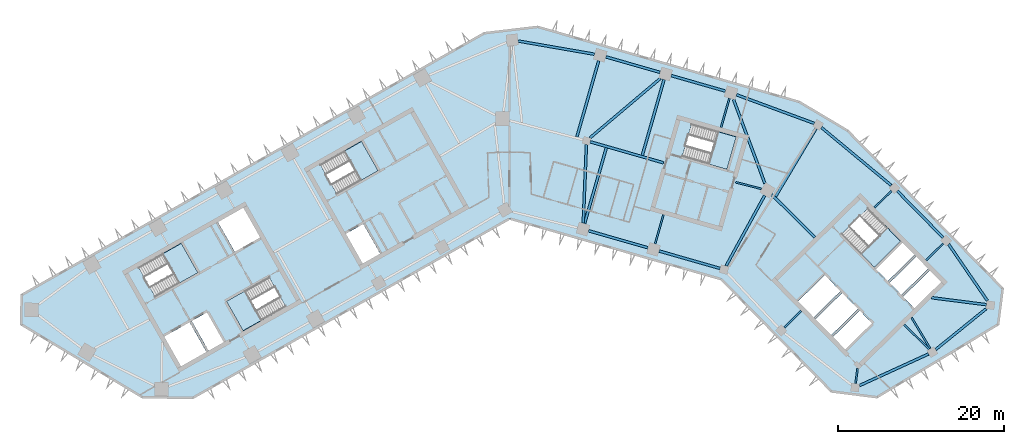
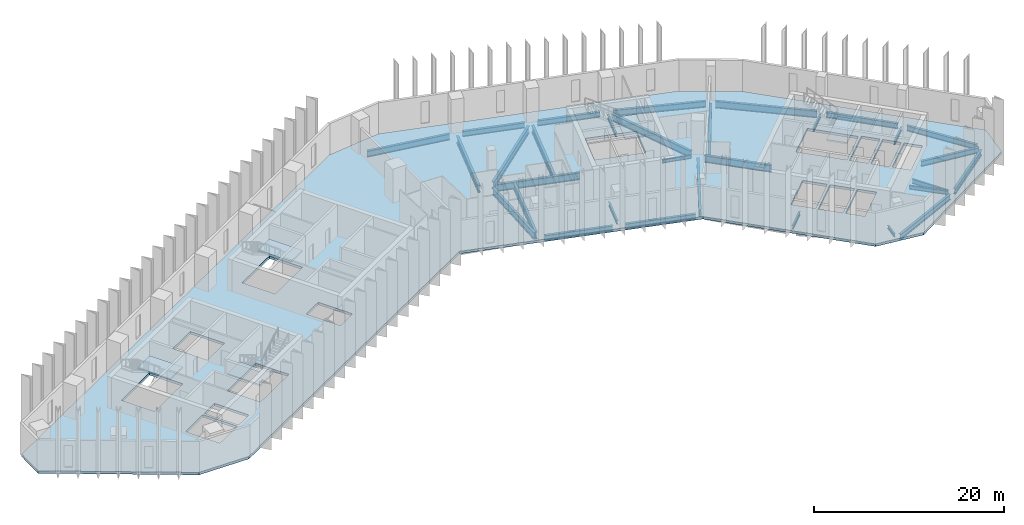
# One storey, part 2 of 11: 31 beams, 6 slabs, 5 elements without a shape of their own.
"""IFC4 building model written with IfcOpenShell, lengths in metres."""

from ifc_helpers import new_model, si_unit, direction, frame, origin, origin_2d, place, context, subcontext, project, spatial, polyline, i_section, outline, extrude, material, layer, layer_set, material_profile, profile_set, type_object, element, aggregate, save


model = new_model("IFC4")

# Units and contexts
model_context = context("Model", 3, precision=1e-05, world=origin(), true_north=direction((0.0, 1.0)))
body_context = subcontext(model_context, "Body", "Model", "MODEL_VIEW")
ifc_project = project(units=[si_unit("LENGTHUNIT", "METRE"), si_unit("AREAUNIT", "SQUARE_METRE"), si_unit("VOLUMEUNIT", "CUBIC_METRE"), si_unit("PLANEANGLEUNIT", "RADIAN"), si_unit("MASSUNIT", "GRAM", prefix="KILO")], contexts=[model_context])

# Site, building, storey
site_placement = place(None, origin())
site = spatial("IfcSite", under=ifc_project, at=site_placement, CompositionType="ELEMENT")
building_placement = place(site_placement, origin())
building = spatial("IfcBuilding", under=site, at=building_placement, Name="Binnacle Exchange Tower", CompositionType="ELEMENT")
storey_placement = place(building_placement, frame((0.0, 0.0, 132.300048828125)))
storey = spatial("IfcBuildingStorey", under=building, at=storey_placement, Name="L27", CompositionType="ELEMENT", Elevation=132.300048828125)

# Beams
ifc_material_1 = material(Name="Steel S355 (SHN355)", Category="steel")
ifc_material_profile_1 = material_profile(ifc_material_1, i_section(OverallWidth=0.300048828125, OverallDepth=0.699951171875, WebThickness=0.012939453125, FlangeThickness=0.02392578125, FilletRadius=0.028076171875, at=origin_2d()), Name="H 700x300x13x24")
ifc_profile_set_1 = profile_set([ifc_material_profile_1], Name="Steel S355 (SHN355)")
beam_type_1 = type_object("IfcBeamType", Name="Edge girder H 700x300x13x24 Steel S355 (SHN355)", PredefinedType="SPANDREL", material=ifc_profile_set_1)
beam_1_placement = place(storey_placement, frame((9.482421875, 46.529296875, -0.670166015625), z_axis=(0.961257800717, -0.275650939705, 0.0), x_axis=(0.275650939705, 0.961257800717, 0.0)))
element("IfcBeam", 1, at=beam_1_placement, inside=storey, type_object=beam_type_1, Name="S:BM:edge:L27:030", PredefinedType="SPANDREL", context=body_context, shape_type="SweptSolid", body=[
    extrude(i_section(OverallWidth=0.300048828125, OverallDepth=0.699951171875, WebThickness=0.012939453125, FlangeThickness=0.02392578125, FilletRadius=0.028076171875, at=origin_2d()), origin(), (0.0, 0.0, 1.0), 7.42041015625),
])
beam_2_placement = place(storey_placement, frame((17.961181640625, 44.09814453125, -0.670166015625), z_axis=(0.961257524102, -0.275651904325, 0.0), x_axis=(0.275651904325, 0.961257524102, 0.0)))
element("IfcBeam", 2, at=beam_2_placement, inside=storey, type_object=beam_type_1, Name="S:BM:edge:L27:032", PredefinedType="SPANDREL", context=body_context, shape_type="SweptSolid", body=[
    extrude(i_section(OverallWidth=0.300048828125, OverallDepth=0.699951171875, WebThickness=0.012939453125, FlangeThickness=0.02392578125, FilletRadius=0.028076171875, at=origin_2d()), origin(), (0.0, 0.0, 1.0), 7.620361328125),
])
for number, where, z_axis, x_axis, name in (
    (3, (18.073486328125, 65.569091796875, -0.670166015625), (-0.961258249907, 0.275649373272, 0.0), (-0.275649373272, -0.961258249907, 0.0), "S:BM:edge:L27:033"),
    (4, (25.9296875, 63.31640625, -0.670166015625), (-0.961258249907, 0.275649373272, 0.0), (-0.275649373272, -0.961258249907, 0.0), "S:BM:edge:L27:034"),
):
    element("IfcBeam", number, at=place(storey_placement, frame(where, z_axis=z_axis, x_axis=x_axis)), inside=storey, type_object=beam_type_1, Name=name, PredefinedType="SPANDREL", context=body_context, shape_type="SweptSolid", body=[
        extrude(i_section(OverallWidth=0.300048828125, OverallDepth=0.699951171875, WebThickness=0.012939453125, FlangeThickness=0.02392578125, FilletRadius=0.028076171875, at=origin_2d()), origin(), (0.0, 0.0, 1.0), 6.77294921875),
    ])
beam_3_placement = place(storey_placement, frame((51.20458984375, 32.248291015625, -0.670166015625), z_axis=(0.777570349394, 0.628795953981, 0.0), x_axis=(-0.628795953981, 0.777570349394, 0.0)))
element("IfcBeam", 5, at=beam_3_placement, inside=storey, type_object=beam_type_1, Name="S:BM:edge:L27:040", PredefinedType="SPANDREL", context=body_context, shape_type="SweptSolid", body=[
    extrude(i_section(OverallWidth=0.300048828125, OverallDepth=0.699951171875, WebThickness=0.012939453125, FlangeThickness=0.02392578125, FilletRadius=0.028076171875, at=origin_2d()), origin(), (0.0, 0.0, 1.0), 7.788330078125),
])
beam_4_placement = place(storey_placement, frame((52.1162109375, 45.69580078125, -0.670166015625), z_axis=(-0.700892629455, 0.713266795789, 0.0), x_axis=(-0.713266795789, -0.700892629455, 0.0)))
element("IfcBeam", 6, at=beam_4_placement, inside=storey, type_object=beam_type_1, Name="S:BM:edge:L27:041", PredefinedType="SPANDREL", context=body_context, shape_type="SweptSolid", body=[
    extrude(i_section(OverallWidth=0.300048828125, OverallDepth=0.699951171875, WebThickness=0.012939453125, FlangeThickness=0.02392578125, FilletRadius=0.028076171875, at=origin_2d()), origin(), (0.0, 0.0, 1.0), 7.872314453125),
])
beam_5_placement = place(storey_placement, frame((57.41943359375, 38.13330078125, -0.670166015625), z_axis=(-0.566410561214, 0.824123216604, 0.0), x_axis=(-0.824123216604, -0.566410561214, 0.0)))
element("IfcBeam", 7, at=beam_5_placement, inside=storey, type_object=beam_type_1, Name="S:BM:edge:L27:042", PredefinedType="SPANDREL", context=body_context, shape_type="SweptSolid", body=[
    extrude(i_section(OverallWidth=0.300048828125, OverallDepth=0.699951171875, WebThickness=0.012939453125, FlangeThickness=0.02392578125, FilletRadius=0.028076171875, at=origin_2d()), origin(), (0.0, 0.0, 1.0), 8.236083984375),
])
ifc_material_profile_2 = material_profile(ifc_material_1, i_section(OverallWidth=0.302001953125, OverallDepth=0.7080078125, WebThickness=0.014892578125, FlangeThickness=0.028076171875, FilletRadius=0.028076171875, at=origin_2d()), Name="H 708x302x15x28")
ifc_profile_set_2 = profile_set([ifc_material_profile_2], Name="Steel S355 (SHN355)")
beam_type_2 = type_object("IfcBeamType", Name="Edge girder H 708x302x15x28 Steel S355 (SHN355)", PredefinedType="SPANDREL", material=ifc_profile_set_2)
beam_6_placement = place(storey_placement, frame((42.054931640625, 27.919921875, -0.674072265625), z_axis=(0.909166515566, 0.41643276405, 0.0), x_axis=(-0.41643276405, 0.909166515566, 0.0)))
element("IfcBeam", 8, at=beam_6_placement, inside=storey, type_object=beam_type_2, Name="S:BM:edge:L27:038", PredefinedType="SPANDREL", context=body_context, shape_type="SweptSolid", body=[
    extrude(i_section(OverallWidth=0.302001953125, OverallDepth=0.7080078125, WebThickness=0.014892578125, FlangeThickness=0.028076171875, FilletRadius=0.028076171875, at=origin_2d()), origin(), (0.0, 0.0, 1.0), 9.128662109375),
])
ifc_material_profile_3 = material_profile(ifc_material_1, i_section(OverallWidth=0.300048828125, OverallDepth=0.800048828125, WebThickness=0.013916015625, FlangeThickness=0.02587890625, FilletRadius=0.028076171875, at=origin_2d()), Name="H 800x300x14x26")
ifc_profile_set_3 = profile_set([ifc_material_profile_3], Name="Steel S355 (SHN355)")
beam_type_3 = type_object("IfcBeamType", Name="Edge girder H 800x300x14x26 Steel S355 (SHN355)", PredefinedType="SPANDREL", material=ifc_profile_set_3)
beam_7_placement = place(storey_placement, frame((10.1962890625, 67.749267578125, -0.719970703125), z_axis=(-0.985312784176, 0.170759237931, 0.0), x_axis=(-0.170759237931, -0.985312784176, 0.0)))
element("IfcBeam", 9, at=beam_7_placement, inside=storey, type_object=beam_type_3, Name="S:BM:edge:L27:031", PredefinedType="SPANDREL", context=body_context, shape_type="SweptSolid", body=[
    extrude(i_section(OverallWidth=0.300048828125, OverallDepth=0.800048828125, WebThickness=0.013916015625, FlangeThickness=0.02587890625, FilletRadius=0.028076171875, at=origin_2d()), origin(), (0.0, 0.0, 1.0), 9.313232421875),
])
ifc_material_profile_4 = material_profile(ifc_material_1, i_section(OverallWidth=0.302001953125, OverallDepth=0.80810546875, WebThickness=0.01611328125, FlangeThickness=0.030029296875, FilletRadius=0.028076171875, at=origin_2d()), Name="H 808x302x16x30")
ifc_profile_set_4 = profile_set([ifc_material_profile_4], Name="Steel S355 (SHN355)")
beam_type_4 = type_object("IfcBeamType", Name="Edge girder H 808x302x16x30 Steel S355 (SHN355)", PredefinedType="SPANDREL", material=ifc_profile_set_4)
beam_8_placement = place(storey_placement, frame((36.60791015625, 59.438232421875, -0.72412109375), z_axis=(-0.938371988478, 0.3456269828, 0.0), x_axis=(-0.3456269828, -0.938371988478, 0.0)))
element("IfcBeam", 10, at=beam_8_placement, inside=storey, type_object=beam_type_4, Name="S:BM:edge:L27:037", PredefinedType="SPANDREL", context=body_context, shape_type="SweptSolid", body=[
    extrude(i_section(OverallWidth=0.302001953125, OverallDepth=0.80810546875, WebThickness=0.01611328125, FlangeThickness=0.030029296875, FilletRadius=0.028076171875, at=origin_2d()), origin(), (0.0, 0.0, 1.0), 9.96044921875),
])
ifc_material_profile_5 = material_profile(ifc_material_1, i_section(OverallWidth=0.300048828125, OverallDepth=0.89990234375, WebThickness=0.01611328125, FlangeThickness=0.028076171875, FilletRadius=0.028076171875, at=origin_2d()), Name="H 900x300x16x28")
ifc_profile_set_5 = profile_set([ifc_material_profile_5], Name="Steel S355 (SHN355)")
beam_type_5 = type_object("IfcBeamType", Name="Edge girder H 900x300x16x28 Steel S355 (SHN355)", PredefinedType="SPANDREL", material=ifc_profile_set_5)
beam_9_placement = place(storey_placement, frame((45.861083984375, 51.988037109375, -0.77001953125), z_axis=(-0.769903256509, 0.63816061898, 0.0), x_axis=(-0.63816061898, -0.769903256509, 0.0)))
element("IfcBeam", 11, at=beam_9_placement, inside=storey, type_object=beam_type_5, Name="S:BM:edge:L27:039", PredefinedType="SPANDREL", context=body_context, shape_type="SweptSolid", body=[
    extrude(i_section(OverallWidth=0.300048828125, OverallDepth=0.89990234375, WebThickness=0.01611328125, FlangeThickness=0.028076171875, FilletRadius=0.028076171875, at=origin_2d()), origin(), (0.0, 0.0, 1.0), 10.892822265625),
])
ifc_material_profile_6 = material_profile(ifc_material_1, i_section(OverallWidth=0.199951171875, OverallDepth=0.39990234375, WebThickness=0.008056640625, FlangeThickness=0.012939453125, FilletRadius=0.01611328125, at=origin_2d()), Name="H 400x200x8x13")
ifc_profile_set_6 = profile_set([ifc_material_profile_6], Name="Steel S355 (SHN355)")
beam_type_6 = type_object("IfcBeamType", Name="Floor beam H 400x200x8x13 Steel S355 (SHN355)", PredefinedType="BEAM", material=ifc_profile_set_6)
beam_10_placement = place(storey_placement, frame((41.582763671875, 28.1708984375, -0.52001953125), z_axis=(0.12626620762, 0.991996393549, 0.0), x_axis=(-0.991996393549, 0.12626620762, 0.0)))
element("IfcBeam", 12, at=beam_10_placement, inside=storey, type_object=beam_type_6, Name="S:BM:cross:L27:063", PredefinedType="BEAM", context=body_context, shape_type="SweptSolid", body=[
    extrude(i_section(OverallWidth=0.199951171875, OverallDepth=0.39990234375, WebThickness=0.008056640625, FlangeThickness=0.012939453125, FilletRadius=0.01611328125, at=origin_2d()), origin(), (0.0, 0.0, 1.0), 1.8310546875),
])
ifc_material_profile_7 = material_profile(ifc_material_1, i_section(OverallWidth=0.199951171875, OverallDepth=0.449951171875, WebThickness=0.009033203125, FlangeThickness=0.013916015625, FilletRadius=0.01806640625, at=origin_2d()), Name="H 450x200x9x14")
ifc_profile_set_7 = profile_set([ifc_material_profile_7], Name="Steel S355 (SHN355)")
beam_type_7 = type_object("IfcBeamType", Name="Floor beam H 450x200x9x14 Steel S355 (SHN355)", PredefinedType="BEAM", material=ifc_profile_set_7)
for number, where, z_axis, x_axis, name in (
    (13, (32.997802734375, 34.880615234375, -0.545166015625), (0.713272005304, 0.700887327928, 0.0), (-0.700887327928, 0.713272005304, 0.0), "S:BM:cross:L27:061"),
    (14, (45.8916015625, 51.31689453125, -0.545166015625), (-0.713272005304, -0.700887327928, 0.0), (0.700887327928, -0.713272005304, 0.0), "S:BM:cross:L27:064"),
    (15, (52.110107421875, 44.98876953125, -0.545166015625), (-0.713272005304, -0.700887327928, 0.0), (0.700887327928, -0.713272005304, 0.0), "S:BM:cross:L27:066"),
):
    element("IfcBeam", number, at=place(storey_placement, frame(where, z_axis=z_axis, x_axis=x_axis)), inside=storey, type_object=beam_type_7, Name=name, PredefinedType="BEAM", context=body_context, shape_type="SweptSolid", body=[
        extrude(i_section(OverallWidth=0.199951171875, OverallDepth=0.449951171875, WebThickness=0.009033203125, FlangeThickness=0.013916015625, FilletRadius=0.01806640625, at=origin_2d()), origin(), (0.0, 0.0, 1.0), 2.8583984375),
    ])
ifc_material_profile_8 = material_profile(ifc_material_1, i_section(OverallWidth=0.200927734375, OverallDepth=0.506103515625, WebThickness=0.010986328125, FlangeThickness=0.01904296875, FilletRadius=0.02001953125, at=origin_2d()), Name="H 506x201x11x19")
ifc_profile_set_8 = profile_set([ifc_material_profile_8], Name="Steel S355 (SHN355)")
beam_type_8 = type_object("IfcBeamType", Name="Floor beam H 506x201x11x19 Steel S355 (SHN355)", PredefinedType="BEAM", material=ifc_profile_set_8)
beam_11_placement = place(storey_placement, frame((17.481201171875, 44.964111328125, -0.572998046875), z_axis=(0.275643564404, 0.961259915633, 0.0), x_axis=(-0.961259915633, 0.275643564404, 0.0)))
element("IfcBeam", 16, at=beam_11_placement, inside=storey, type_object=beam_type_8, Name="S:BM:cross:L27:058", PredefinedType="BEAM", context=body_context, shape_type="SweptSolid", body=[
    extrude(i_section(OverallWidth=0.200927734375, OverallDepth=0.506103515625, WebThickness=0.010986328125, FlangeThickness=0.01904296875, FilletRadius=0.02001953125, at=origin_2d()), origin(), (0.0, 0.0, 1.0), 3.635009765625),
])
beam_12_placement = place(storey_placement, frame((26.409912109375, 62.45068359375, -0.572998046875), z_axis=(-0.275687825643, -0.961247222515, 0.0), x_axis=(0.961247222515, -0.275687825643, 0.0)))
element("IfcBeam", 17, at=beam_12_placement, inside=storey, type_object=beam_type_8, Name="S:BM:cross:L27:060", PredefinedType="BEAM", context=body_context, shape_type="SweptSolid", body=[
    extrude(i_section(OverallWidth=0.200927734375, OverallDepth=0.506103515625, WebThickness=0.010986328125, FlangeThickness=0.01904296875, FilletRadius=0.02001953125, at=origin_2d()), origin(), (0.0, 0.0, 1.0), 3.63525390625),
])
ifc_material_profile_9 = material_profile(ifc_material_1, i_section(OverallWidth=0.199951171875, OverallDepth=0.60009765625, WebThickness=0.010986328125, FlangeThickness=0.01708984375, FilletRadius=0.02197265625, at=origin_2d()), Name="H 600x200x11x17")
ifc_profile_set_9 = profile_set([ifc_material_profile_9], Name="Steel S355 (SHN355)")
beam_type_9 = type_object("IfcBeamType", Name="Floor beam H 600x200x11x17 Steel S355 (SHN355)", PredefinedType="BEAM", material=ifc_profile_set_9)
beam_13_placement = place(storey_placement, frame((50.554443359375, 32.359619140625, -0.6201171875), z_axis=(-0.515054637465, 0.857157348697, 0.0), x_axis=(-0.857157348697, -0.515054637465, 0.0)))
element("IfcBeam", 18, at=beam_13_placement, inside=storey, type_object=beam_type_9, Name="S:BM:cross:L27:065", PredefinedType="BEAM", context=body_context, shape_type="SweptSolid", body=[
    extrude(i_section(OverallWidth=0.199951171875, OverallDepth=0.60009765625, WebThickness=0.010986328125, FlangeThickness=0.01708984375, FilletRadius=0.02197265625, at=origin_2d()), origin(), (0.0, 0.0, 1.0), 4.367431640625),
])
ifc_material_profile_10 = material_profile(ifc_material_1, i_section(OverallWidth=0.300048828125, OverallDepth=0.699951171875, WebThickness=0.012939453125, FlangeThickness=0.02392578125, FilletRadius=0.028076171875, at=origin_2d()), Name="H 700x300x13x24")
ifc_profile_set_10 = profile_set([ifc_material_profile_10], Name="Steel S355 (SHN355)")
beam_type_10 = type_object("IfcBeamType", Name="Floor beam H 700x300x13x24 Steel S355 (SHN355)", PredefinedType="BEAM", material=ifc_profile_set_10)
beam_14_placement = place(storey_placement, frame((57.302978515625, 37.64404296875, -0.670166015625), z_axis=(-0.992004198178, 0.12620487628, 0.0), x_axis=(-0.12620487628, -0.992004198178, 0.0)))
element("IfcBeam", 19, at=beam_14_placement, inside=storey, type_object=beam_type_10, Name="S:BM:cross:L27:067", PredefinedType="BEAM", context=body_context, shape_type="SweptSolid", body=[
    extrude(i_section(OverallWidth=0.300048828125, OverallDepth=0.699951171875, WebThickness=0.012939453125, FlangeThickness=0.02392578125, FilletRadius=0.028076171875, at=origin_2d()), origin(), (0.0, 0.0, 1.0), 6.63134765625),
])
ifc_material_profile_11 = material_profile(ifc_material_1, i_section(OverallWidth=0.302978515625, OverallDepth=0.91796875, WebThickness=0.01904296875, FlangeThickness=0.037109375, FilletRadius=0.028076171875, at=origin_2d()), Name="H 918x303x19x37")
ifc_profile_set_11 = profile_set([ifc_material_profile_11], Name="Steel S355 (SHN355)")
beam_type_11 = type_object("IfcBeamType", Name="Floor beam H 918x303x19x37 Steel S355 (SHN355)", PredefinedType="BEAM", material=ifc_profile_set_11)
beam_15_placement = place(storey_placement, frame((9.00244140625, 47.395263671875, -0.779052734375), z_axis=(0.275642274849, 0.961260285415, 0.0), x_axis=(-0.961260285415, 0.275642274849, 0.0)))
element("IfcBeam", 20, at=beam_15_placement, inside=storey, type_object=beam_type_11, Name="S:BM:cross:L27:056", PredefinedType="BEAM", context=body_context, shape_type="SweptSolid", body=[
    extrude(i_section(OverallWidth=0.302978515625, OverallDepth=0.91796875, WebThickness=0.01904296875, FlangeThickness=0.037109375, FilletRadius=0.028076171875, at=origin_2d()), origin(), (0.0, 0.0, 1.0), 9.485107421875),
])
beam_16_placement = place(storey_placement, frame((10.697021484375, 66.9560546875, -0.779052734375), z_axis=(-0.27562260808, -0.961265924661, 0.0), x_axis=(0.961265924661, -0.27562260808, 0.0)))
element("IfcBeam", 21, at=beam_16_placement, inside=storey, type_object=beam_type_11, Name="S:BM:cross:L27:057", PredefinedType="BEAM", context=body_context, shape_type="SweptSolid", body=[
    extrude(i_section(OverallWidth=0.302978515625, OverallDepth=0.91796875, WebThickness=0.01904296875, FlangeThickness=0.037109375, FilletRadius=0.028076171875, at=origin_2d()), origin(), (0.0, 0.0, 1.0), 9.51318359375),
])
beam_17_placement = place(storey_placement, frame((18.553466796875, 64.703369140625, -0.779052734375), z_axis=(-0.275642274849, -0.961260285415, 0.0), x_axis=(0.961260285415, -0.275642274849, 0.0)))
element("IfcBeam", 22, at=beam_17_placement, inside=storey, type_object=beam_type_11, Name="S:BM:cross:L27:059", PredefinedType="BEAM", context=body_context, shape_type="SweptSolid", body=[
    extrude(i_section(OverallWidth=0.302978515625, OverallDepth=0.91796875, WebThickness=0.01904296875, FlangeThickness=0.037109375, FilletRadius=0.028076171875, at=origin_2d()), origin(), (0.0, 0.0, 1.0), 9.485107421875),
])
beam_18_placement = place(storey_placement, frame((36.829345703125, 58.832763671875, -0.779052734375), z_axis=(-0.51129570724, -0.859404852068, 0.0), x_axis=(0.859404852068, -0.51129570724, 0.0)))
element("IfcBeam", 23, at=beam_18_placement, inside=storey, type_object=beam_type_11, Name="S:BM:cross:L27:062", PredefinedType="BEAM", context=body_context, shape_type="SweptSolid", body=[
    extrude(i_section(OverallWidth=0.302978515625, OverallDepth=0.91796875, WebThickness=0.01904296875, FlangeThickness=0.037109375, FilletRadius=0.028076171875, at=origin_2d()), origin(), (0.0, 0.0, 1.0), 9.5361328125),
])
ifc_material_profile_12 = material_profile(ifc_material_1, i_section(OverallWidth=0.199951171875, OverallDepth=0.449951171875, WebThickness=0.009033203125, FlangeThickness=0.013916015625, FilletRadius=0.01806640625, at=origin_2d()), Name="H 450x200x9x14")
ifc_profile_set_12 = profile_set([ifc_material_profile_12], Name="Steel S355 (SHN355)")
beam_type_12 = type_object("IfcBeamType", Name="Spine girder H 450x200x9x14 Steel S355 (SHN355)", PredefinedType="BEAM", material=ifc_profile_set_12)
beam_19_placement = place(storey_placement, frame((27.17138671875, 52.35400390625, -0.545166015625), z_axis=(0.969348404361, -0.245690193055, 0.0), x_axis=(0.245690193055, 0.969348404361, 0.0)))
element("IfcBeam", 24, at=beam_19_placement, inside=storey, type_object=beam_type_12, Name="S:BM:spine:L27:010", PredefinedType="BEAM", context=body_context, shape_type="SweptSolid", body=[
    extrude(i_section(OverallWidth=0.199951171875, OverallDepth=0.449951171875, WebThickness=0.009033203125, FlangeThickness=0.013916015625, FilletRadius=0.01806640625, at=origin_2d()), origin(), (0.0, 0.0, 1.0), 3.20361328125),
])
ifc_material_profile_13 = material_profile(ifc_material_1, i_section(OverallWidth=0.200927734375, OverallDepth=0.506103515625, WebThickness=0.010986328125, FlangeThickness=0.01904296875, FilletRadius=0.02001953125, at=origin_2d()), Name="H 506x201x11x19")
ifc_profile_set_13 = profile_set([ifc_material_profile_13], Name="Steel S355 (SHN355)")
beam_type_13 = type_object("IfcBeamType", Name="Spine girder H 506x201x11x19 Steel S355 (SHN355)", PredefinedType="BEAM", material=ifc_profile_set_13)
beam_20_placement = place(storey_placement, frame((47.417236328125, 35.23095703125, -0.572998046875), z_axis=(0.71705117811, -0.697020521915, 0.0), x_axis=(0.697020521915, 0.71705117811, 0.0)))
element("IfcBeam", 25, at=beam_20_placement, inside=storey, type_object=beam_type_13, Name="S:BM:spine:L27:014", PredefinedType="BEAM", context=body_context, shape_type="SweptSolid", body=[
    extrude(i_section(OverallWidth=0.200927734375, OverallDepth=0.506103515625, WebThickness=0.010986328125, FlangeThickness=0.01904296875, FilletRadius=0.02001953125, at=origin_2d()), origin(), (0.0, 0.0, 1.0), 4.21728515625),
])
ifc_material_profile_14 = material_profile(ifc_material_1, i_section(OverallWidth=0.300048828125, OverallDepth=0.89990234375, WebThickness=0.01611328125, FlangeThickness=0.028076171875, FilletRadius=0.028076171875, at=origin_2d()), Name="H 900x300x16x28")
ifc_profile_set_14 = profile_set([ifc_material_profile_14], Name="Steel S355 (SHN355)")
beam_type_14 = type_object("IfcBeamType", Name="Spine girder H 900x300x16x28 Steel S355 (SHN355)", PredefinedType="BEAM", material=ifc_profile_set_14)
beam_21_placement = place(storey_placement, frame((9.22216796875, 56.887451171875, -0.77001953125), z_axis=(-0.040573469093, -0.999176557774, 0.0), x_axis=(0.999176557774, -0.040573469093, 0.0)))
element("IfcBeam", 26, at=beam_21_placement, inside=storey, type_object=beam_type_14, Name="S:BM:spine:L27:007", PredefinedType="BEAM", context=body_context, shape_type="SweptSolid", body=[
    extrude(i_section(OverallWidth=0.300048828125, OverallDepth=0.89990234375, WebThickness=0.01611328125, FlangeThickness=0.028076171875, FilletRadius=0.028076171875, at=origin_2d()), origin(), (0.0, 0.0, 1.0), 9.453125),
])
beam_22_placement = place(storey_placement, frame((30.65234375, 50.771484375, -0.77001953125), z_axis=(-0.480722811784, -0.876872612316, 0.0), x_axis=(0.876872612316, -0.480722811784, 0.0)))
element("IfcBeam", 27, at=beam_22_placement, inside=storey, type_object=beam_type_14, Name="S:BM:spine:L27:011", PredefinedType="BEAM", context=body_context, shape_type="SweptSolid", body=[
    extrude(i_section(OverallWidth=0.300048828125, OverallDepth=0.89990234375, WebThickness=0.01611328125, FlangeThickness=0.028076171875, FilletRadius=0.028076171875, at=origin_2d()), origin(), (0.0, 0.0, 1.0), 9.650390625),
])
ifc_material_profile_15 = material_profile(ifc_material_1, i_section(OverallWidth=0.302978515625, OverallDepth=0.91796875, WebThickness=0.01904296875, FlangeThickness=0.037109375, FilletRadius=0.028076171875, at=origin_2d()), Name="H 918x303x19x37")
ifc_profile_set_15 = profile_set([ifc_material_profile_15], Name="Steel S355 (SHN355)")
beam_type_15 = type_object("IfcBeamType", Name="Spine girder H 918x303x19x37 Steel S355 (SHN355)", PredefinedType="BEAM", material=ifc_profile_set_15)
beam_23_placement = place(storey_placement, frame((9.65478515625, 57.69970703125, -0.779052734375), z_axis=(0.764067648684, 0.645136131552, 0.0), x_axis=(-0.645136131552, 0.764067648684, 0.0)))
element("IfcBeam", 28, at=beam_23_placement, inside=storey, type_object=beam_type_15, Name="S:BM:spine:L27:008", PredefinedType="BEAM", context=body_context, shape_type="SweptSolid", body=[
    extrude(i_section(OverallWidth=0.302978515625, OverallDepth=0.91796875, WebThickness=0.01904296875, FlangeThickness=0.037109375, FilletRadius=0.028076171875, at=origin_2d()), origin(), (0.0, 0.0, 1.0), 11.056396484375),
])
beam_24_placement = place(storey_placement, frame((9.673583984375, 57.226318359375, -0.779052734375), z_axis=(0.961256048299, -0.275657050715, 0.0), x_axis=(0.275657050715, 0.961256048299, 0.0)))
element("IfcBeam", 29, at=beam_24_placement, inside=storey, type_object=beam_type_15, Name="S:BM:spine:L27:009", PredefinedType="BEAM", context=body_context, shape_type="SweptSolid", body=[
    extrude(i_section(OverallWidth=0.302978515625, OverallDepth=0.91796875, WebThickness=0.01904296875, FlangeThickness=0.037109375, FilletRadius=0.028076171875, at=origin_2d()), origin(), (0.0, 0.0, 1.0), 9.1630859375),
])
beam_25_placement = place(storey_placement, frame((30.6806640625, 52.212890625, -0.779052734375), z_axis=(-0.350112820386, 0.93670753867, 0.0), x_axis=(-0.93670753867, -0.350112820386, 0.0)))
element("IfcBeam", 30, at=beam_25_placement, inside=storey, type_object=beam_type_15, Name="S:BM:spine:L27:012", PredefinedType="BEAM", context=body_context, shape_type="SweptSolid", body=[
    extrude(i_section(OverallWidth=0.302978515625, OverallDepth=0.91796875, WebThickness=0.01904296875, FlangeThickness=0.037109375, FilletRadius=0.028076171875, at=origin_2d()), origin(), (0.0, 0.0, 1.0), 10.777099609375),
])
beam_26_placement = place(storey_placement, frame((31.499755859375, 50.8818359375, -0.779052734375), z_axis=(0.710998016372, -0.703194013566, 0.0), x_axis=(0.703194013566, 0.710998016372, 0.0)))
element("IfcBeam", 31, at=beam_26_placement, inside=storey, type_object=beam_type_15, Name="S:BM:spine:L27:013", PredefinedType="BEAM", context=body_context, shape_type="SweptSolid", body=[
    extrude(i_section(OverallWidth=0.302978515625, OverallDepth=0.91796875, WebThickness=0.01904296875, FlangeThickness=0.037109375, FilletRadius=0.028076171875, at=origin_2d()), origin(), (0.0, 0.0, 1.0), 7.320556640625),
])

# Slab
ifc_material_2 = material(Name="Concrete C35/45", Category="concrete")
ifc_layer_1 = layer(ifc_material_2, 0.320068359375)
ifc_layer_set_1 = layer_set([ifc_layer_1], Name="Floor slab 320 Concrete C35/45")
slab_type_1 = type_object("IfcSlabType", Name="Floor slab 320 Concrete C35/45", PredefinedType="FLOOR", material=ifc_layer_set_1)
slab_1_placement = place(storey_placement, frame((0.0, 0.0, -0.320068359375)))
element("IfcSlab", 32, at=slab_1_placement, inside=storey, type_object=slab_type_1, Name="S:SL:L27:01", PredefinedType="FLOOR", context=body_context, shape_type="SweptSolid", body=[
    extrude(outline(polyline([(59.262939453125, 39.5791015625), (58.716064453125, 35.280029296875), (44.14404296875, 26.5244140625), (38.69091796875, 27.21826171875), (25.43603515625, 40.706298828125), (0.0, 48.0), (-38.097900390625, 26.4453125), (-44.14404296875, 26.5244140625), (-58.716064453125, 35.280029296875), (-58.669921875, 38.80615234375), (-3.046142578125, 70.276611328125), (3.364501953125, 71.035400390625), (34.789794921875, 62.024169921875), (40.607421875, 58.56298828125), (59.262939453125, 39.5791015625)]), holes=[polyline([(-38.4794921875, 35.529296875), (-41.61279296875, 33.756591796875), (-39.544677734375, 30.10107421875), (-36.411376953125, 31.873779296875), (-38.4794921875, 35.529296875)]), polyline([(-34.322509765625, 33.0556640625), (-36.390625, 36.711181640625), (-38.21826171875, 35.677001953125), (-36.150146484375, 32.021484375), (-34.322509765625, 33.0556640625)]), polyline([(-34.040771484375, 38.04052734375), (-32.04638671875, 34.515625), (-26.9287109375, 37.4111328125), (-28.923095703125, 40.93603515625), (-34.040771484375, 38.04052734375)]), polyline([(-37.486572265625, 41.4912109375), (-39.480712890625, 45.01611328125), (-44.598388671875, 42.12060546875), (-42.604248046875, 38.595703125), (-37.486572265625, 41.4912109375)]), polyline([(-15.53076171875, 43.6875), (-17.598876953125, 47.343017578125), (-19.77490234375, 46.11181640625), (-17.70654296875, 42.456298828125), (-15.53076171875, 43.6875)]), polyline([(-29.914306640625, 45.775390625), (-31.982666015625, 49.430908203125), (-35.115966796875, 47.657958984375), (-33.047607421875, 44.00244140625), (-29.914306640625, 45.775390625)]), polyline([(-15.822509765625, 53.748046875), (-17.81689453125, 57.27294921875), (-22.760498046875, 54.47607421875), (-20.76611328125, 50.950927734375), (-15.822509765625, 53.748046875)]), polyline([(26.111328125, 53.9169921875), (27.227783203125, 57.810302734375), (21.864013671875, 59.348388671875), (20.74755859375, 55.455078125), (26.111328125, 53.9169921875)]), polyline([(40.268798828125, 32.201904296875), (43.549560546875, 35.426025390625), (42.07763671875, 36.923828125), (38.796875, 33.69970703125), (40.268798828125, 32.201904296875)]), polyline([(38.58642578125, 33.913818359375), (41.867431640625, 37.137939453125), (39.97509765625, 39.063720703125), (36.694091796875, 35.83935546875), (38.58642578125, 33.913818359375)]), polyline([(36.48388671875, 36.053466796875), (39.7646484375, 39.277587890625), (37.872314453125, 41.203369140625), (34.59130859375, 37.979248046875), (36.48388671875, 36.053466796875)]), polyline([(48.726806640625, 37.148681640625), (52.0078125, 40.372802734375), (50.577880859375, 41.827880859375), (47.296875, 38.603759765625), (48.726806640625, 37.148681640625)]), polyline([(47.086669921875, 38.817626953125), (50.36767578125, 42.0419921875), (48.944580078125, 43.48974609375), (45.663818359375, 40.265625), (47.086669921875, 38.817626953125)]), polyline([(45.45361328125, 40.4794921875), (48.734375, 43.703857421875), (47.3115234375, 45.151611328125), (44.030517578125, 41.927490234375), (45.45361328125, 40.4794921875)]), polyline([(43.8203125, 42.141357421875), (46.994384765625, 45.260498046875), (43.083251953125, 49.240478515625), (39.9091796875, 46.121337890625), (43.8203125, 42.141357421875)])]), origin(), (0.0, 0.0, 1.0), 0.320068359375),
])

# Stair, slab
stair_type = type_object("IfcStairType", Name="STAIR 26 RISERS 169", PredefinedType="HALF_TURN_STAIR", material=ifc_material_2)
stair_1_placement = place(storey_placement, origin())
stair_1 = element("IfcStair", 33, at=stair_1_placement, inside=storey, type_object=stair_type, Name="L27 Escape stair A1", PredefinedType="HALF_TURN_STAIR")
ifc_layer_2 = layer(ifc_material_2, 0.199951171875)
ifc_layer_set_2 = layer_set([ifc_layer_2], Name="STAIR LANDING 200")
slab_type_2 = type_object("IfcSlabType", Name="STAIR LANDING 200", PredefinedType="LANDING", material=ifc_layer_set_2)
slab_2_placement = place(storey_placement, frame((0.0, 0.0, 2.0)))
slab_2 = element("IfcSlab", 34, at=slab_2_placement, type_object=slab_type_2, Name="STA1 landing 1", PredefinedType="LANDING", context=body_context, shape_type="SweptSolid", body=[
    extrude(outline(polyline([(-39.714599609375, 40.23046875), (-37.486572265625, 41.4912109375), (-39.48095703125, 45.01611328125), (-41.708984375, 43.755615234375), (-39.714599609375, 40.23046875)])), origin(), (0.0, 0.0, 1.0), 0.199951171875),
])
aggregate(stair_1, [slab_2])

stair_2_placement = place(storey_placement, origin())
stair_2 = element("IfcStair", 35, at=stair_2_placement, inside=storey, type_object=stair_type, Name="L27 Escape stair A2", PredefinedType="HALF_TURN_STAIR")
slab_3_placement = place(storey_placement, frame((0.0, 0.0, 2.0)))
slab_3 = element("IfcSlab", 36, at=slab_3_placement, type_object=slab_type_2, Name="STA2 landing 1", PredefinedType="LANDING", context=body_context, shape_type="SweptSolid", body=[
    extrude(outline(polyline([(-31.8125, 39.30126953125), (-34.040771484375, 38.04052734375), (-32.04638671875, 34.515625), (-29.818359375, 35.7763671875), (-31.8125, 39.30126953125)])), origin(), (0.0, 0.0, 1.0), 0.199951171875),
])
aggregate(stair_2, [slab_3])

stair_3_placement = place(storey_placement, origin())
stair_3 = element("IfcStair", 37, at=stair_3_placement, inside=storey, type_object=stair_type, Name="L27 Escape stair B1", PredefinedType="HALF_TURN_STAIR")
slab_4_placement = place(storey_placement, frame((0.0, 0.0, 2.0)))
slab_4 = element("IfcSlab", 38, at=slab_4_placement, type_object=slab_type_2, Name="STB1 landing 1", PredefinedType="LANDING", context=body_context, shape_type="SweptSolid", body=[
    extrude(outline(polyline([(42.236328125, 43.75341796875), (43.8203125, 42.141357421875), (46.994384765625, 45.260498046875), (45.410400390625, 46.872314453125), (42.236328125, 43.75341796875)])), origin(), (0.0, 0.0, 1.0), 0.199951171875),
])
aggregate(stair_3, [slab_4])

stair_4_placement = place(storey_placement, origin())
stair_4 = element("IfcStair", 39, at=stair_4_placement, inside=storey, type_object=stair_type, Name="L27 Escape stair C1", PredefinedType="HALF_TURN_STAIR")
slab_5_placement = place(storey_placement, frame((0.0, 0.0, 2.0)))
slab_5 = element("IfcSlab", 40, at=slab_5_placement, type_object=slab_type_2, Name="STC1 landing 1", PredefinedType="LANDING", context=body_context, shape_type="SweptSolid", body=[
    extrude(outline(polyline([(-17.876708984375, 52.5859375), (-15.822509765625, 53.748046875), (-17.81689453125, 57.27294921875), (-19.870849609375, 56.11083984375), (-17.876708984375, 52.5859375)])), origin(), (0.0, 0.0, 1.0), 0.199951171875),
])
aggregate(stair_4, [slab_5])

stair_5_placement = place(storey_placement, origin())
stair_5 = element("IfcStair", 41, at=stair_5_placement, inside=storey, type_object=stair_type, Name="L27 Escape stair D1", PredefinedType="HALF_TURN_STAIR")
slab_6_placement = place(storey_placement, frame((0.0, 0.0, 2.0)))
slab_6 = element("IfcSlab", 42, at=slab_6_placement, type_object=slab_type_2, Name="STD1 landing 1", PredefinedType="LANDING", context=body_context, shape_type="SweptSolid", body=[
    extrude(outline(polyline([(23.93896484375, 54.5400390625), (26.111328125, 53.917236328125), (27.227783203125, 57.810302734375), (25.05517578125, 58.43310546875), (23.93896484375, 54.5400390625)])), origin(), (0.0, 0.0, 1.0), 0.199951171875),
])
aggregate(stair_5, [slab_6])

save(model, "model.ifc")
